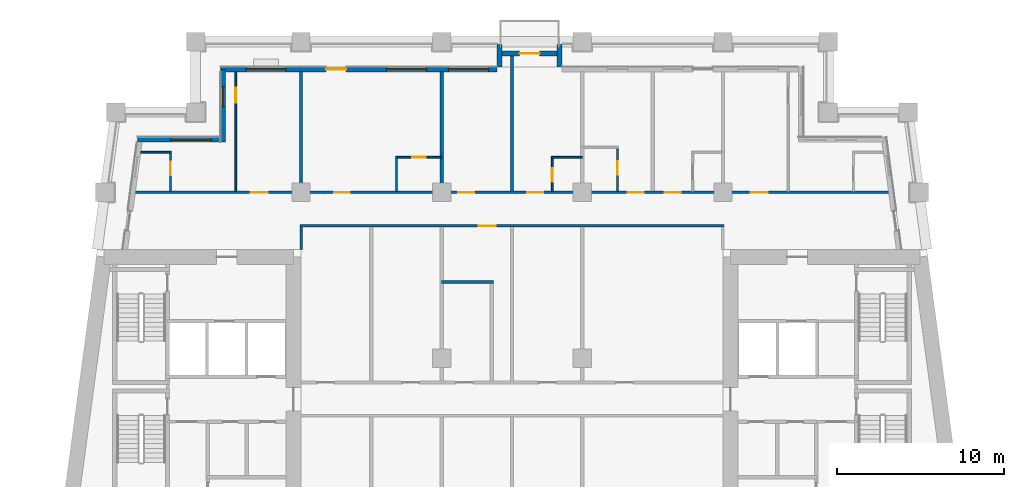
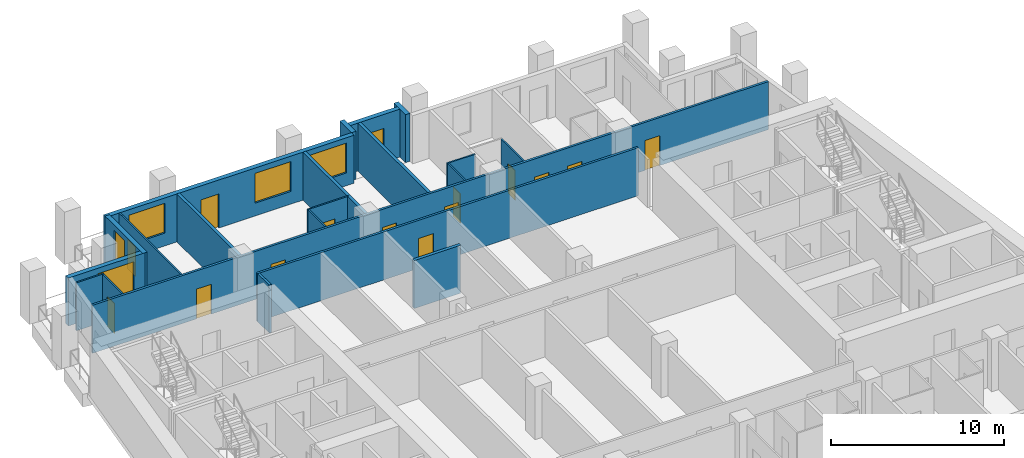
# One storey, part 7 of 14: 21 walls, 15 doors, 5 windows, 20 openings.
"""IFC4 building model written with IfcOpenShell, lengths in metres."""

import ifcopenshell
import ifcopenshell.guid

model = None  # the IFC model being written
_history = None  # IfcOwnerHistory: only IFC2X3 demands one
_inside = {}  # id of a spatial element -> (the spatial element, [elements in it])
_under = {}  # id of a project, library or spatial element -> (it, [spatial elements below it])
_declared = {}  # id of a project -> (the project, [libraries it declares])
_typed = {}  # id of a type object -> (the type object, [elements of that type])
_made_of = {}  # id of a material, layer set ... -> (it, [elements and type objects made of it])


def new_model(schema):
    """Start an empty IFC model of exactly this schema.

    Asked for "IFC4X3", IfcOpenShell would pick the latest addendum, in which some entities
    have other attributes; the version numbers below select the first issue.
    IFC2X3 requires an IfcOwnerHistory on every rooted entity: one is made here for all.
    """
    global model, _history
    if schema == "IFC4X3":
        model = ifcopenshell.file(schema_version=(4, 3, 0, 0))
    else:
        model = ifcopenshell.file(schema=schema)
    _inside.clear()
    _under.clear()
    _declared.clear()
    _typed.clear()
    _made_of.clear()
    _history = None
    if model.schema == "IFC2X3":
        org = make("IfcOrganization", Name="unknown")
        user = make(
            "IfcPersonAndOrganization",
            ThePerson=make("IfcPerson", FamilyName="unknown"),
            TheOrganization=org,
        )
        app = make(
            "IfcApplication",
            ApplicationDeveloper=org,
            Version="unknown",
            ApplicationFullName="unknown",
            ApplicationIdentifier="unknown",
        )
        _history = make(
            "IfcOwnerHistory",
            OwningUser=user,
            OwningApplication=app,
            ChangeAction="ADDED",
            CreationDate=0,
        )
    return model


def make(cls, **values):
    """One entity of the class cls with the attributes given. An attribute that is None is left unset."""
    return model.create_entity(
        cls, **{name: value for name, value in values.items() if value is not None}
    )


def rooted(cls, **values):
    """An entity with a GlobalId (a new one), such as an element, a storey or a relation."""
    return make(cls, GlobalId=ifcopenshell.guid.new(), OwnerHistory=_history, **values)


def si_unit(unit_type, name, prefix=None):
    """IfcSIUnit, for example si_unit("LENGTHUNIT", "METRE", prefix="MILLI")."""
    return make("IfcSIUnit", UnitType=unit_type, Prefix=prefix, Name=name)


def assignment(units):
    """IfcUnitAssignment: the units of a project."""
    return None if units is None else make("IfcUnitAssignment", Units=units)


def point(xyz):
    """IfcCartesianPoint."""
    return None if xyz is None else make("IfcCartesianPoint", Coordinates=xyz)


def direction(xyz):
    """IfcDirection."""
    return None if xyz is None else make("IfcDirection", DirectionRatios=xyz)


def frame(location, z_axis=None, x_axis=None):
    """IfcAxis2Placement3D, a coordinate frame: its origin and axes. An axis left out is left unset."""
    return make(
        "IfcAxis2Placement3D",
        Location=point(location),
        Axis=direction(z_axis),
        RefDirection=direction(x_axis),
    )


def frame_2d(location, x_axis=None):
    """IfcAxis2Placement2D, a coordinate frame in the plane: its origin and x axis."""
    return make(
        "IfcAxis2Placement2D", Location=point(location), RefDirection=direction(x_axis)
    )


def origin():
    """The frame at (0, 0, 0) with its axes left unset."""
    return frame((0.0, 0.0, 0.0))


def place(relative_to, where):
    """IfcLocalPlacement: puts the frame where relative to a parent placement (None: the world)."""
    return make(
        "IfcLocalPlacement", PlacementRelTo=relative_to, RelativePlacement=where
    )


def context(
    kind, dimensions, precision=None, world=None, true_north=None, identifier=None
):
    """IfcGeometricRepresentationContext, for example the 3D "Model" context."""
    return make(
        "IfcGeometricRepresentationContext",
        ContextIdentifier=identifier,
        ContextType=kind,
        CoordinateSpaceDimension=dimensions,
        Precision=precision,
        WorldCoordinateSystem=world,
        TrueNorth=true_north,
    )


def subcontext(parent, identifier, kind, view, scale=None):
    """IfcGeometricRepresentationSubContext, for example "Body" below "Model"."""
    return make(
        "IfcGeometricRepresentationSubContext",
        ContextIdentifier=identifier,
        ContextType=kind,
        ParentContext=parent,
        TargetScale=scale,
        TargetView=view,
    )


def project(units=None, contexts=None):
    """IfcProject with its units and contexts."""
    return rooted(
        "IfcProject",
        Name="project",
        RepresentationContexts=contexts,
        UnitsInContext=assignment(units),
    )


def spatial(cls, under=None, at=None, **own):
    """A site, building, storey or space (cls), placed at a placement, below another one or the project."""
    s = rooted(cls, ObjectPlacement=at, **own)
    if under is not None:
        _under.setdefault(under.id(), (under, []))[1].append(s)
    return s


def profile(cls, at=None, kind="AREA", **sizes):
    """A parametric profile (cls). Its sizes go by their IFC names, for example OverallWidth=200.0."""
    return make(cls, ProfileType=kind, Position=at, **sizes)


def rectangle(**sizes):
    """IfcRectangleProfileDef."""
    return profile("IfcRectangleProfileDef", **sizes)


def extrude(swept, where, along, depth):
    """IfcExtrudedAreaSolid: the profile swept, set in the frame where, extruded along a direction by depth."""
    return make(
        "IfcExtrudedAreaSolid",
        SweptArea=swept,
        Position=where,
        ExtrudedDirection=direction(along),
        Depth=depth,
    )


def shape(context_of_items, identifier, shape_type, items):
    """IfcShapeRepresentation: the items that make up one representation, for example the "Body"."""
    return make(
        "IfcShapeRepresentation",
        ContextOfItems=context_of_items,
        RepresentationIdentifier=identifier,
        RepresentationType=shape_type,
        Items=items,
    )


def material(Name=None, Category=None):
    """IfcMaterial."""
    return make("IfcMaterial", Name=Name, Category=Category)


def layer(
    of_material, thickness, ventilated=None, Name=None, Category=None, Priority=None
):
    """IfcMaterialLayer: one layer of a wall or slab, of a material (None: an air gap)."""
    return make(
        "IfcMaterialLayer",
        Material=of_material,
        LayerThickness=thickness,
        IsVentilated=ventilated,
        Name=Name,
        Category=Category,
        Priority=Priority,
    )


def layer_set(layers, Name=None):
    """IfcMaterialLayerSet."""
    return make("IfcMaterialLayerSet", MaterialLayers=layers, LayerSetName=Name)


def made_of(thing, what):
    """Note that an element or type object is made of a material, layer set ...; save() writes the relation."""
    if what is not None:
        _made_of.setdefault(what.id(), (what, []))[1].append(thing)
    return thing


def type_object(cls, material=None, **own):
    """A type object (cls), such as IfcWallType, which elements share."""
    return made_of(rooted(cls, **own), material)


def element(
    cls,
    number,
    at=None,
    inside=None,
    cuts=None,
    type_object=None,
    material=None,
    context=None,
    identifier="Body",
    shape_type=None,
    held_by="IfcProductDefinitionShape",
    body=None,
    shapes=None,
    **own,
):
    """One element of the class cls, such as IfcWall. Its Tag is "e" and its number.

    at: its placement. inside: the storey or other place that contains it. cuts: it is an
    opening in that element (IfcRelVoidsElement). A single representation is given by context,
    identifier, shape_type and body (its items); several are given by shapes. held_by: the class
    of the entity that holds the representations. save() writes the other relations.
    """
    e = rooted(cls, Tag="e%d" % number, ObjectPlacement=at, **own)
    if body is not None:
        shapes = [shape(context, identifier, shape_type, body)]
    if shapes is not None:
        e.Representation = make(held_by, Representations=shapes)
    if inside is not None:
        _inside.setdefault(inside.id(), (inside, []))[1].append(e)
    if cuts is not None:
        rooted(
            "IfcRelVoidsElement", RelatingBuildingElement=cuts, RelatedOpeningElement=e
        )
    if type_object is not None:
        _typed.setdefault(type_object.id(), (type_object, []))[1].append(e)
    return made_of(e, material)


def fill(opening, filler):
    """IfcRelFillsElement: the door or window that sits in an opening."""
    return rooted(
        "IfcRelFillsElement",
        RelatingOpeningElement=opening,
        RelatedBuildingElement=filler,
    )


def aggregate(whole, parts):
    """IfcRelAggregates: a whole, such as a stair, and the parts it consists of."""
    return rooted("IfcRelAggregates", RelatingObject=whole, RelatedObjects=parts)


def save(model, path):
    """Write the relations noted so far, then the file.

    IfcRelAggregates (storeys below a building ...), IfcRelContainedInSpatialStructure (elements
    in a storey), IfcRelDefinesByType, IfcRelAssociatesMaterial and IfcRelDeclares: one each for
    every whole, place, type object, material and project.
    """
    for whole, parts in _under.values():
        aggregate(whole, parts)
    for where, things in _inside.values():
        rooted(
            "IfcRelContainedInSpatialStructure",
            RelatedElements=things,
            RelatingStructure=where,
        )
    for kind, things in _typed.values():
        rooted("IfcRelDefinesByType", RelatedObjects=things, RelatingType=kind)
    for what, things in _made_of.values():
        rooted("IfcRelAssociatesMaterial", RelatedObjects=things, RelatingMaterial=what)
    for by, libraries in _declared.values():
        rooted("IfcRelDeclares", RelatingContext=by, RelatedDefinitions=libraries)
    model.write(path)


model = new_model("IFC4")

# Units and contexts
model_context = context("Model", 3, precision=1e-05, world=origin(), true_north=direction((0.0, 1.0)))
body_context = subcontext(model_context, "Body", "Model", "MODEL_VIEW")
ifc_project = project(units=[si_unit("LENGTHUNIT", "METRE"), si_unit("AREAUNIT", "SQUARE_METRE"), si_unit("VOLUMEUNIT", "CUBIC_METRE"), si_unit("PLANEANGLEUNIT", "RADIAN"), si_unit("MASSUNIT", "GRAM", prefix="KILO")], contexts=[model_context])

# Site, building, storey
site_placement = place(None, origin())
site = spatial("IfcSite", under=ifc_project, at=site_placement, CompositionType="ELEMENT")
building_placement = place(site_placement, origin())
building = spatial("IfcBuilding", under=site, at=building_placement, Name="Candeia Pilgrim Tower and Theatre", CompositionType="ELEMENT")
storey_placement = place(building_placement, frame((0.0, 0.0, 173.699951171875)))
storey = spatial("IfcBuildingStorey", under=building, at=storey_placement, Name="L41", CompositionType="ELEMENT", Elevation=173.699951171875)

# Wall, openings, door, windows
ifc_material_1 = material(Name="Ceramic block masonry", Category="masonry")
ifc_layer_1 = layer(ifc_material_1, 0.300048828125)
ifc_layer_set_1 = layer_set([ifc_layer_1], Name="EW1 glazing-line wall 300")
wall_type_1 = type_object("IfcWallType", Name="EW1 glazing-line wall 300", PredefinedType="SOLIDWALL", material=ifc_layer_set_1)
wall_1_placement = place(storey_placement, frame((112.5, 143.14990234375, 0.0), z_axis=(0.0, 0.0, 1.0), x_axis=(-1.0, 0.0, 0.0)))
wall_1 = element("IfcWall", 1, at=wall_1_placement, inside=storey, type_object=wall_type_1, Name="External wall L41-6.1", PredefinedType="SOLIDWALL", context=body_context, shape_type="SweptSolid", body=[
    extrude(rectangle(XDim=16.5, YDim=0.300048828125, at=frame_2d((8.25, 0.0))), origin(), (0.0, 0.0, 1.0), 3.380126953125),
])
opening_1_placement = place(wall_1_placement, frame((0.5, 0.0, 0.89990234375)))
opening_1 = element("IfcOpeningElement", 2, at=opening_1_placement, cuts=wall_1, Name="Opening W-A", PredefinedType="OPENING", context=body_context, shape_type="SweptSolid", body=[
    extrude(rectangle(XDim=2.39990234375, YDim=2.10009765625, at=frame_2d((1.199951171875, 1.050048828125))), frame((0.0, 0.16015625, 0.0), z_axis=(0.0, -1.0, 0.0), x_axis=(1.0, 0.0, 0.0)), (0.0, 0.0, 1.0), 0.320068359375),
])
opening_2_placement = place(wall_1_placement, frame((4.199951171875, 0.0, 0.89990234375)))
opening_2 = element("IfcOpeningElement", 3, at=opening_2_placement, cuts=wall_1, Name="Opening W-A", PredefinedType="OPENING", context=body_context, shape_type="SweptSolid", body=[
    extrude(rectangle(XDim=2.39990234375, YDim=2.10009765625, at=frame_2d((1.199951171875, 1.050048828125))), frame((0.0, 0.16015625, 0.0), z_axis=(0.0, -1.0, 0.0), x_axis=(1.0, 0.0, 0.0)), (0.0, 0.0, 1.0), 0.320068359375),
])
opening_3_placement = place(wall_1_placement, frame((9.0, 0.0, 0.0)))
opening_3 = element("IfcOpeningElement", 4, at=opening_3_placement, cuts=wall_1, Name="Opening L41-ED397", PredefinedType="OPENING", context=body_context, shape_type="SweptSolid", body=[
    extrude(rectangle(XDim=1.199951171875, YDim=2.39990234375, at=frame_2d((0.60009765625, 1.199951171875))), frame((0.0, 0.16015625, 0.0), z_axis=(0.0, -1.0, 0.0), x_axis=(1.0, 0.0, 0.0)), (0.0, 0.0, 1.0), 0.320068359375),
])
opening_4_placement = place(wall_1_placement, frame((12.60009765625, 0.0, 0.89990234375)))
opening_4 = element("IfcOpeningElement", 5, at=opening_4_placement, cuts=wall_1, Name="Opening W-A", PredefinedType="OPENING", context=body_context, shape_type="SweptSolid", body=[
    extrude(rectangle(XDim=2.39990234375, YDim=2.10009765625, at=frame_2d((1.199951171875, 1.050048828125))), frame((0.0, 0.16015625, 0.0), z_axis=(0.0, -1.0, 0.0), x_axis=(1.0, 0.0, 0.0)), (0.0, 0.0, 1.0), 0.320068359375),
])
ifc_material_2 = material(Name="Aluminium framed glazed door", Category="aluminium")
door_type_1 = type_object("IfcDoorType", Name="Loggia door 1200x2400", OperationType="DOUBLE_DOOR_SINGLE_SWING", PredefinedType="DOOR", material=ifc_material_2)
door_1_placement = place(opening_3_placement, origin())
door_1 = element("IfcDoor", 6, at=door_1_placement, inside=storey, type_object=door_type_1, Name="Loggia door L41-ED397", OperationType="DOUBLE_DOOR_SINGLE_SWING", OverallHeight=2.39990234375, OverallWidth=1.199951171875, PredefinedType="DOOR", context=body_context, shape_type="SweptSolid", body=[
    extrude(rectangle(XDim=1.199951171875, YDim=2.39990234375, at=frame_2d((0.60009765625, 1.199951171875))), frame((0.0, 0.02490234375, 0.0), z_axis=(0.0, -1.0, 0.0), x_axis=(1.0, 0.0, 0.0)), (0.0, 0.0, 1.0), 0.050048828125),
])
fill(opening_3, door_1)
ifc_material_3 = material(Name="Aluminium framed double glazing", Category="aluminium")
window_type_1 = type_object("IfcWindowType", Name="W-A window 2400x2100", PartitioningType="DOUBLE_PANEL_VERTICAL", PredefinedType="WINDOW", material=ifc_material_3)
window_1_placement = place(opening_1_placement, origin())
window_1 = element("IfcWindow", 7, at=window_1_placement, inside=storey, type_object=window_type_1, Name="Window W-A L41", OverallHeight=2.10009765625, OverallWidth=2.39990234375, PartitioningType="SINGLE_PANEL", PredefinedType="WINDOW", context=body_context, shape_type="SweptSolid", body=[
    extrude(rectangle(XDim=2.39990234375, YDim=2.10009765625, at=frame_2d((1.199951171875, 1.050048828125))), frame((0.0, 0.030029296875, 0.0), z_axis=(0.0, -1.0, 0.0), x_axis=(1.0, 0.0, 0.0)), (0.0, 0.0, 1.0), 0.06005859375),
])
fill(opening_1, window_1)
window_2_placement = place(opening_2_placement, origin())
window_2 = element("IfcWindow", 8, at=window_2_placement, inside=storey, type_object=window_type_1, Name="Window W-A L41", OverallHeight=2.10009765625, OverallWidth=2.39990234375, PartitioningType="SINGLE_PANEL", PredefinedType="WINDOW", context=body_context, shape_type="SweptSolid", body=[
    extrude(rectangle(XDim=2.39990234375, YDim=2.10009765625, at=frame_2d((1.199951171875, 1.050048828125))), frame((0.0, 0.030029296875, 0.0), z_axis=(0.0, -1.0, 0.0), x_axis=(1.0, 0.0, 0.0)), (0.0, 0.0, 1.0), 0.06005859375),
])
fill(opening_2, window_2)
window_3_placement = place(opening_4_placement, origin())
window_3 = element("IfcWindow", 9, at=window_3_placement, inside=storey, type_object=window_type_1, Name="Window W-A L41", OverallHeight=2.10009765625, OverallWidth=2.39990234375, PartitioningType="SINGLE_PANEL", PredefinedType="WINDOW", context=body_context, shape_type="SweptSolid", body=[
    extrude(rectangle(XDim=2.39990234375, YDim=2.10009765625, at=frame_2d((1.199951171875, 1.050048828125))), frame((0.0, 0.030029296875, 0.0), z_axis=(0.0, -1.0, 0.0), x_axis=(1.0, 0.0, 0.0)), (0.0, 0.0, 1.0), 0.06005859375),
])
fill(opening_4, window_3)

# Wall, opening, window
wall_2_placement = place(storey_placement, frame((96.14990234375, 143.14990234375, 0.0), z_axis=(0.0, 0.0, 1.0), x_axis=(0.0, -1.0, 0.0)))
wall_2 = element("IfcWall", 10, at=wall_2_placement, inside=storey, type_object=wall_type_1, Name="External wall L41-7.0", PredefinedType="SOLIDWALL", context=body_context, shape_type="SweptSolid", body=[
    extrude(rectangle(XDim=4.349853515625, YDim=0.300048828125, at=frame_2d((2.1748046875, 0.0))), origin(), (0.0, 0.0, 1.0), 3.380126953125),
])
opening_5_placement = place(wall_2_placement, frame((1.02490234375, 0.0, 0.89990234375)))
opening_5 = element("IfcOpeningElement", 11, at=opening_5_placement, cuts=wall_2, Name="Opening W-B", PredefinedType="OPENING", context=body_context, shape_type="SweptSolid", body=[
    extrude(rectangle(XDim=1.199951171875, YDim=2.10009765625, at=frame_2d((0.60009765625, 1.050048828125))), frame((0.0, 0.16015625, 0.0), z_axis=(0.0, -1.0, 0.0), x_axis=(1.0, 0.0, 0.0)), (0.0, 0.0, 1.0), 0.320068359375),
])
window_type_2 = type_object("IfcWindowType", Name="W-B window 1200x2100", PartitioningType="SINGLE_PANEL", PredefinedType="WINDOW", material=ifc_material_3)
window_4_placement = place(opening_5_placement, origin())
window_4 = element("IfcWindow", 12, at=window_4_placement, inside=storey, type_object=window_type_2, Name="Window W-B L41", OverallHeight=2.10009765625, OverallWidth=1.199951171875, PartitioningType="SINGLE_PANEL", PredefinedType="WINDOW", context=body_context, shape_type="SweptSolid", body=[
    extrude(rectangle(XDim=1.199951171875, YDim=2.10009765625, at=frame_2d((0.60009765625, 1.050048828125))), frame((0.0, 0.030029296875, 0.0), z_axis=(0.0, -1.0, 0.0), x_axis=(1.0, 0.0, 0.0)), (0.0, 0.0, 1.0), 0.06005859375),
])
fill(opening_5, window_4)

wall_3_placement = place(storey_placement, frame((96.14990234375, 138.949951171875, 0.0), z_axis=(0.0, 0.0, 1.0), x_axis=(-1.0, 0.0, 0.0)))
wall_3 = element("IfcWall", 13, at=wall_3_placement, inside=storey, type_object=wall_type_1, Name="External wall L41-8.0", PredefinedType="SOLIDWALL", context=body_context, shape_type="SweptSolid", body=[
    extrude(rectangle(XDim=5.103759765625, YDim=0.300048828125, at=frame_2d((2.5517578125, 0.0))), origin(), (0.0, 0.0, 1.0), 3.380126953125),
])
opening_6_placement = place(wall_3_placement, frame((0.72509765625, 0.0, 0.89990234375)))
opening_6 = element("IfcOpeningElement", 14, at=opening_6_placement, cuts=wall_3, Name="Opening W-A", PredefinedType="OPENING", context=body_context, shape_type="SweptSolid", body=[
    extrude(rectangle(XDim=2.39990234375, YDim=2.10009765625, at=frame_2d((1.199951171875, 1.050048828125))), frame((0.0, 0.16015625, 0.0), z_axis=(0.0, -1.0, 0.0), x_axis=(1.0, 0.0, 0.0)), (0.0, 0.0, 1.0), 0.320068359375),
])
window_5_placement = place(opening_6_placement, origin())
window_5 = element("IfcWindow", 15, at=window_5_placement, inside=storey, type_object=window_type_1, Name="Window W-A L41", OverallHeight=2.10009765625, OverallWidth=2.39990234375, PartitioningType="SINGLE_PANEL", PredefinedType="WINDOW", context=body_context, shape_type="SweptSolid", body=[
    extrude(rectangle(XDim=2.39990234375, YDim=2.10009765625, at=frame_2d((1.199951171875, 1.050048828125))), frame((0.0, 0.030029296875, 0.0), z_axis=(0.0, -1.0, 0.0), x_axis=(1.0, 0.0, 0.0)), (0.0, 0.0, 1.0), 0.06005859375),
])
fill(opening_6, window_5)

# Walls
ifc_layer_2 = layer(ifc_material_1, 0.300048828125)
ifc_layer_set_2 = layer_set([ifc_layer_2], Name="EW2 entrance infill wall 300")
wall_type_2 = type_object("IfcWallType", Name="EW2 entrance infill wall 300", PredefinedType="SOLIDWALL", material=ifc_layer_set_2)
for number, where, z_axis, x_axis, name in (
    (16, (116.25, 143.300048828125, 0.0), (0.0, 0.0, 1.0), (0.0, 1.0, 0.0), "Alcove wall L41"),
    (17, (112.64990234375, 143.300048828125, 0.0), (0.0, 0.0, 1.0), (0.0, 1.0, 0.0), "Alcove wall L41"),
):
    element("IfcWall", number, at=place(storey_placement, frame(where, z_axis=z_axis, x_axis=x_axis)), inside=storey, type_object=wall_type_2, Name=name, PredefinedType="SOLIDWALL", context=body_context, shape_type="SweptSolid", body=[
        extrude(rectangle(XDim=1.349853515625, YDim=0.300048828125, at=frame_2d((0.6748046875, 0.0))), origin(), (0.0, 0.0, 1.0), 3.380126953125),
    ])

# Wall, opening, door
wall_4_placement = place(storey_placement, frame((116.39990234375, 144.10009765625, 0.0), z_axis=(0.0, 0.0, 1.0), x_axis=(-1.0, 0.0, 0.0)))
wall_4 = element("IfcWall", 18, at=wall_4_placement, inside=storey, type_object=wall_type_2, Name="Alcove wall L41", PredefinedType="SOLIDWALL", context=body_context, shape_type="SweptSolid", body=[
    extrude(rectangle(XDim=3.89990234375, YDim=0.300048828125, at=frame_2d((1.949951171875, 0.0))), origin(), (0.0, 0.0, 1.0), 3.380126953125),
])
opening_7_placement = place(wall_4_placement, frame((1.35009765625, 0.0, 0.0)))
opening_7 = element("IfcOpeningElement", 19, at=opening_7_placement, cuts=wall_4, Name="Opening L41-ED398", PredefinedType="OPENING", context=body_context, shape_type="SweptSolid", body=[
    extrude(rectangle(XDim=1.199951171875, YDim=2.39990234375, at=frame_2d((0.60009765625, 1.199951171875))), frame((0.0, 0.16015625, 0.0), z_axis=(0.0, -1.0, 0.0), x_axis=(1.0, 0.0, 0.0)), (0.0, 0.0, 1.0), 0.320068359375),
])
door_2_placement = place(opening_7_placement, origin())
door_2 = element("IfcDoor", 20, at=door_2_placement, inside=storey, type_object=door_type_1, Name="Balcony door L41-ED398", OperationType="DOUBLE_DOOR_SINGLE_SWING", OverallHeight=2.39990234375, OverallWidth=1.199951171875, PredefinedType="DOOR", context=body_context, shape_type="SweptSolid", body=[
    extrude(rectangle(XDim=1.199951171875, YDim=2.39990234375, at=frame_2d((0.60009765625, 1.199951171875))), frame((0.0, 0.02490234375, 0.0), z_axis=(0.0, -1.0, 0.0), x_axis=(1.0, 0.0, 0.0)), (0.0, 0.0, 1.0), 0.050048828125),
])
fill(opening_7, door_2)

ifc_material_4 = material(Name="Gypsum board partition on steel studs", Category="steel")
ifc_layer_3 = layer(ifc_material_4, 0.10009765625)
ifc_layer_set_3 = layer_set([ifc_layer_3], Name="PW-100 room partition")
wall_type_3 = type_object("IfcWallType", Name="PW-100 room partition", PredefinedType="PARTITIONING", material=ifc_layer_set_3)
wall_5_placement = place(storey_placement, frame((106.449951171875, 137.89990234375, 0.0), z_axis=(0.0, 0.0, 1.0), x_axis=(1.0, 0.0, 0.0)))
wall_5 = element("IfcWall", 21, at=wall_5_placement, inside=storey, type_object=wall_type_3, Name="Room partition L41-046", PredefinedType="PARTITIONING", context=body_context, shape_type="SweptSolid", body=[
    extrude(rectangle(XDim=2.75, YDim=0.10009765625, at=frame_2d((1.375, 0.0))), origin(), (0.0, 0.0, 1.0), 3.380126953125),
])
opening_8_placement = place(wall_5_placement, frame((1.0, 0.0, 0.0)))
opening_8 = element("IfcOpeningElement", 22, at=opening_8_placement, cuts=wall_5, Name="Opening L41-D042", PredefinedType="OPENING", context=body_context, shape_type="SweptSolid", body=[
    extrude(rectangle(XDim=0.800048828125, YDim=2.10009765625, at=frame_2d((0.39990234375, 1.050048828125))), frame((0.0, 0.06005859375, 0.0), z_axis=(0.0, -1.0, 0.0), x_axis=(1.0, 0.0, 0.0)), (0.0, 0.0, 1.0), 0.1201171875),
])
ifc_material_5 = material(Name="Timber door leaf", Category="wood")
door_type_2 = type_object("IfcDoorType", Name="D-800", OperationType="NOTDEFINED", PredefinedType="DOOR", material=ifc_material_5)
door_3_placement = place(opening_8_placement, origin())
door_3 = element("IfcDoor", 23, at=door_3_placement, inside=storey, type_object=door_type_2, Name="Door L41-D042", OperationType="SINGLE_SWING_LEFT", OverallHeight=2.10009765625, OverallWidth=0.800048828125, PredefinedType="DOOR", context=body_context, shape_type="SweptSolid", body=[
    extrude(rectangle(XDim=0.800048828125, YDim=2.10009765625, at=frame_2d((0.39990234375, 1.050048828125))), frame((0.0, 0.02490234375, 0.0), z_axis=(0.0, -1.0, 0.0), x_axis=(1.0, 0.0, 0.0)), (0.0, 0.0, 1.0), 0.050048828125),
])
fill(opening_8, door_3)

# Walls
wall_6_placement = place(storey_placement, frame((115.75, 137.89990234375, 0.0), z_axis=(0.0, 0.0, 1.0), x_axis=(1.0, 0.0, 0.0)))
element("IfcWall", 24, at=wall_6_placement, inside=storey, type_object=wall_type_3, Name="Room partition L41-047", PredefinedType="PARTITIONING", context=body_context, shape_type="SweptSolid", body=[
    extrude(rectangle(XDim=1.85009765625, YDim=0.10009765625, at=frame_2d((0.925048828125, 0.0))), origin(), (0.0, 0.0, 1.0), 3.380126953125),
])
wall_7_placement = place(storey_placement, frame((91.2177734375, 138.199951171875, 0.0), z_axis=(0.0, 0.0, 1.0), x_axis=(1.0, 0.0, 0.0)))
element("IfcWall", 25, at=wall_7_placement, inside=storey, type_object=wall_type_3, Name="Room partition L41-048", PredefinedType="PARTITIONING", context=body_context, shape_type="SweptSolid", body=[
    extrude(rectangle(XDim=1.832275390625, YDim=0.10009765625, at=frame_2d((0.916015625, 0.0))), origin(), (0.0, 0.0, 1.0), 3.380126953125),
])

# Wall, opening, door
wall_8_placement = place(storey_placement, frame((93.0, 135.875, 0.0), z_axis=(0.0, 0.0, 1.0), x_axis=(0.0, 1.0, 0.0)))
wall_8 = element("IfcWall", 26, at=wall_8_placement, inside=storey, type_object=wall_type_3, Name="Room partition L41-064", PredefinedType="PARTITIONING", context=body_context, shape_type="SweptSolid", body=[
    extrude(rectangle(XDim=2.27490234375, YDim=0.10009765625, at=frame_2d((1.137451171875, 0.0))), origin(), (0.0, 0.0, 1.0), 3.380126953125),
])
opening_9_placement = place(wall_8_placement, frame((0.949951171875, 0.0, 0.0)))
opening_9 = element("IfcOpeningElement", 27, at=opening_9_placement, cuts=wall_8, Name="Opening L41-D040", PredefinedType="OPENING", context=body_context, shape_type="SweptSolid", body=[
    extrude(rectangle(XDim=0.800048828125, YDim=2.10009765625, at=frame_2d((0.39990234375, 1.050048828125))), frame((0.0, 0.06005859375, 0.0), z_axis=(0.0, -1.0, 0.0), x_axis=(1.0, 0.0, 0.0)), (0.0, 0.0, 1.0), 0.1201171875),
])
door_4_placement = place(opening_9_placement, origin())
door_4 = element("IfcDoor", 28, at=door_4_placement, inside=storey, type_object=door_type_2, Name="Door L41-D040", OperationType="SINGLE_SWING_LEFT", OverallHeight=2.10009765625, OverallWidth=0.800048828125, PredefinedType="DOOR", context=body_context, shape_type="SweptSolid", body=[
    extrude(rectangle(XDim=0.800048828125, YDim=2.10009765625, at=frame_2d((0.39990234375, 1.050048828125))), frame((0.0, 0.02490234375, 0.0), z_axis=(0.0, -1.0, 0.0), x_axis=(1.0, 0.0, 0.0)), (0.0, 0.0, 1.0), 0.050048828125),
])
fill(opening_9, door_4)

wall_9_placement = place(storey_placement, frame((96.89990234375, 135.875, 0.0), z_axis=(0.0, 0.0, 1.0), x_axis=(0.0, 1.0, 0.0)))
wall_9 = element("IfcWall", 29, at=wall_9_placement, inside=storey, type_object=wall_type_3, Name="Room partition L41-071", PredefinedType="PARTITIONING", context=body_context, shape_type="SweptSolid", body=[
    extrude(rectangle(XDim=7.135009765625, YDim=0.10009765625, at=frame_2d((3.5673828125, 0.0))), origin(), (0.0, 0.0, 1.0), 3.380126953125),
])
opening_10_placement = place(wall_9_placement, frame((5.2900390625, 0.0, 0.0)))
opening_10 = element("IfcOpeningElement", 30, at=opening_10_placement, cuts=wall_9, Name="Opening L41-D039", PredefinedType="OPENING", context=body_context, shape_type="SweptSolid", body=[
    extrude(rectangle(XDim=0.89990234375, YDim=2.10009765625, at=frame_2d((0.449951171875, 1.050048828125))), frame((0.0, 0.06005859375, 0.0), z_axis=(0.0, -1.0, 0.0), x_axis=(1.0, 0.0, 0.0)), (0.0, 0.0, 1.0), 0.1201171875),
])
door_type_3 = type_object("IfcDoorType", Name="D-900", OperationType="NOTDEFINED", PredefinedType="DOOR", material=ifc_material_5)
door_5_placement = place(opening_10_placement, origin())
door_5 = element("IfcDoor", 31, at=door_5_placement, inside=storey, type_object=door_type_3, Name="Door L41-D039", OperationType="SINGLE_SWING_RIGHT", OverallHeight=2.10009765625, OverallWidth=0.89990234375, PredefinedType="DOOR", context=body_context, shape_type="SweptSolid", body=[
    extrude(rectangle(XDim=0.89990234375, YDim=2.10009765625, at=frame_2d((0.449951171875, 1.050048828125))), frame((0.0, 0.02490234375, 0.0), z_axis=(0.0, -1.0, 0.0), x_axis=(1.0, 0.0, 0.0)), (0.0, 0.0, 1.0), 0.050048828125),
])
fill(opening_10, door_5)

# Wall
wall_10_placement = place(storey_placement, frame((106.5, 135.875, 0.0), z_axis=(0.0, 0.0, 1.0), x_axis=(0.0, 1.0, 0.0)))
element("IfcWall", 32, at=wall_10_placement, inside=storey, type_object=wall_type_3, Name="Room partition L41-085", PredefinedType="PARTITIONING", context=body_context, shape_type="SweptSolid", body=[
    extrude(rectangle(XDim=1.97509765625, YDim=0.10009765625, at=frame_2d((0.987548828125, 0.0))), origin(), (0.0, 0.0, 1.0), 3.380126953125),
])

# Wall, opening, door
wall_11_placement = place(storey_placement, frame((115.800048828125, 135.875, 0.0), z_axis=(0.0, 0.0, 1.0), x_axis=(0.0, 1.0, 0.0)))
wall_11 = element("IfcWall", 33, at=wall_11_placement, inside=storey, type_object=wall_type_3, Name="Room partition L41-094", PredefinedType="PARTITIONING", context=body_context, shape_type="SweptSolid", body=[
    extrude(rectangle(XDim=1.97509765625, YDim=0.10009765625, at=frame_2d((0.987548828125, 0.0))), origin(), (0.0, 0.0, 1.0), 3.380126953125),
])
opening_11_placement = place(wall_11_placement, frame((0.574951171875, 0.0, 0.0)))
opening_11 = element("IfcOpeningElement", 34, at=opening_11_placement, cuts=wall_11, Name="Opening L41-D045", PredefinedType="OPENING", context=body_context, shape_type="SweptSolid", body=[
    extrude(rectangle(XDim=0.800048828125, YDim=2.10009765625, at=frame_2d((0.39990234375, 1.050048828125))), frame((0.0, 0.06005859375, 0.0), z_axis=(0.0, -1.0, 0.0), x_axis=(1.0, 0.0, 0.0)), (0.0, 0.0, 1.0), 0.1201171875),
])
door_6_placement = place(opening_11_placement, origin())
door_6 = element("IfcDoor", 35, at=door_6_placement, inside=storey, type_object=door_type_2, Name="Door L41-D045", OperationType="SINGLE_SWING_RIGHT", OverallHeight=2.10009765625, OverallWidth=0.800048828125, PredefinedType="DOOR", context=body_context, shape_type="SweptSolid", body=[
    extrude(rectangle(XDim=0.800048828125, YDim=2.10009765625, at=frame_2d((0.39990234375, 1.050048828125))), frame((0.0, 0.02490234375, 0.0), z_axis=(0.0, -1.0, 0.0), x_axis=(1.0, 0.0, 0.0)), (0.0, 0.0, 1.0), 0.050048828125),
])
fill(opening_11, door_6)

wall_12_placement = place(storey_placement, frame((119.699951171875, 135.875, 0.0), z_axis=(0.0, 0.0, 1.0), x_axis=(0.0, 1.0, 0.0)))
wall_12 = element("IfcWall", 36, at=wall_12_placement, inside=storey, type_object=wall_type_3, Name="Room partition L41-100", PredefinedType="PARTITIONING", context=body_context, shape_type="SweptSolid", body=[
    extrude(rectangle(XDim=2.574951171875, YDim=0.10009765625, at=frame_2d((1.28759765625, 0.0))), origin(), (0.0, 0.0, 1.0), 3.380126953125),
])
opening_12_placement = place(wall_12_placement, frame((0.9951171875, 0.0, 0.0)))
opening_12 = element("IfcOpeningElement", 37, at=opening_12_placement, cuts=wall_12, Name="Opening L41-D047", PredefinedType="OPENING", context=body_context, shape_type="SweptSolid", body=[
    extrude(rectangle(XDim=0.800048828125, YDim=2.10009765625, at=frame_2d((0.39990234375, 1.050048828125))), frame((0.0, 0.06005859375, 0.0), z_axis=(0.0, -1.0, 0.0), x_axis=(1.0, 0.0, 0.0)), (0.0, 0.0, 1.0), 0.1201171875),
])
door_7_placement = place(opening_12_placement, origin())
door_7 = element("IfcDoor", 38, at=door_7_placement, inside=storey, type_object=door_type_2, Name="Door L41-D047", OperationType="SINGLE_SWING_RIGHT", OverallHeight=2.10009765625, OverallWidth=0.800048828125, PredefinedType="DOOR", context=body_context, shape_type="SweptSolid", body=[
    extrude(rectangle(XDim=0.800048828125, YDim=2.10009765625, at=frame_2d((0.39990234375, 1.050048828125))), frame((0.0, 0.02490234375, 0.0), z_axis=(0.0, -1.0, 0.0), x_axis=(1.0, 0.0, 0.0)), (0.0, 0.0, 1.0), 0.050048828125),
])
fill(opening_12, door_7)

ifc_layer_4 = layer(ifc_material_4, 0.14990234375)
ifc_layer_set_4 = layer_set([ifc_layer_4], Name="PW-150 unit wall")
wall_type_4 = type_object("IfcWallType", Name="PW-150 unit wall", PredefinedType="PARTITIONING", material=ifc_layer_set_4)
wall_13_placement = place(storey_placement, frame((100.72509765625, 133.800048828125, 0.0), z_axis=(0.0, 0.0, 1.0), x_axis=(1.0, 0.0, 0.0)))
wall_13 = element("IfcWall", 39, at=wall_13_placement, inside=storey, type_object=wall_type_4, Name="Unit wall L41-044", PredefinedType="PARTITIONING", context=body_context, shape_type="SweptSolid", body=[
    extrude(rectangle(XDim=25.349853515625, YDim=0.14990234375, at=frame_2d((12.6748046875, 0.0))), origin(), (0.0, 0.0, 1.0), 3.380126953125),
])
opening_13_placement = place(wall_13_placement, frame((10.699951171875, 0.0, 0.0)))
opening_13 = element("IfcOpeningElement", 40, at=opening_13_placement, cuts=wall_13, Name="Opening L41-D053", PredefinedType="OPENING", context=body_context, shape_type="SweptSolid", body=[
    extrude(rectangle(XDim=1.0, YDim=2.10009765625, at=frame_2d((0.5, 1.050048828125))), frame((0.0, 0.0849609375, 0.0), z_axis=(0.0, -1.0, 0.0), x_axis=(1.0, 0.0, 0.0)), (0.0, 0.0, 1.0), 0.169921875),
])
ifc_material_6 = material(Name="Steel fire door set", Category="steel")
door_type_4 = type_object("IfcDoorType", Name="D-1000-FD30S", OperationType="NOTDEFINED", PredefinedType="DOOR", material=ifc_material_6)
door_8_placement = place(opening_13_placement, origin())
door_8 = element("IfcDoor", 41, at=door_8_placement, inside=storey, type_object=door_type_4, Name="Door L41-D053", OperationType="SINGLE_SWING_RIGHT", OverallHeight=2.10009765625, OverallWidth=1.0, PredefinedType="DOOR", context=body_context, shape_type="SweptSolid", body=[
    extrude(rectangle(XDim=1.0, YDim=2.10009765625, at=frame_2d((0.5, 1.050048828125))), frame((0.0, 0.02490234375, 0.0), z_axis=(0.0, -1.0, 0.0), x_axis=(1.0, 0.0, 0.0)), (0.0, 0.0, 1.0), 0.050048828125),
])
fill(opening_13, door_8)

# Wall, openings, doors
wall_14_placement = place(storey_placement, frame((90.89453125, 135.800048828125, 0.0), z_axis=(0.0, 0.0, 1.0), x_axis=(1.0, 0.0, 0.0)))
wall_14 = element("IfcWall", 42, at=wall_14_placement, inside=storey, type_object=wall_type_4, Name="Unit wall L41-045", PredefinedType="PARTITIONING", context=body_context, shape_type="SweptSolid", body=[
    extrude(rectangle(XDim=45.010986328125, YDim=0.14990234375, at=frame_2d((22.50537109375, 0.0))), origin(), (0.0, 0.0, 1.0), 3.380126953125),
])
opening_14_placement = place(wall_14_placement, frame((6.905517578125, 0.0, 0.0)))
opening_14 = element("IfcOpeningElement", 43, at=opening_14_placement, cuts=wall_14, Name="Opening L41-D038", PredefinedType="OPENING", context=body_context, shape_type="SweptSolid", body=[
    extrude(rectangle(XDim=1.0, YDim=2.10009765625, at=frame_2d((0.5, 1.050048828125))), frame((0.0, 0.0849609375, 0.0), z_axis=(0.0, -1.0, 0.0), x_axis=(1.0, 0.0, 0.0)), (0.0, 0.0, 1.0), 0.169921875),
])
opening_15_placement = place(wall_14_placement, frame((11.87548828125, 0.0, 0.0)))
opening_15 = element("IfcOpeningElement", 44, at=opening_15_placement, cuts=wall_14, Name="Opening L41-D041", PredefinedType="OPENING", context=body_context, shape_type="SweptSolid", body=[
    extrude(rectangle(XDim=0.949951171875, YDim=2.10009765625, at=frame_2d((0.47509765625, 1.050048828125))), frame((0.0, 0.0849609375, 0.0), z_axis=(0.0, -1.0, 0.0), x_axis=(1.0, 0.0, 0.0)), (0.0, 0.0, 1.0), 0.169921875),
])
opening_16_placement = place(wall_14_placement, frame((19.29248046875, 0.0, 0.0)))
opening_16 = element("IfcOpeningElement", 45, at=opening_16_placement, cuts=wall_14, Name="Opening L41-D043", PredefinedType="OPENING", context=body_context, shape_type="SweptSolid", body=[
    extrude(rectangle(XDim=0.949951171875, YDim=2.10009765625, at=frame_2d((0.47509765625, 1.050048828125))), frame((0.0, 0.0849609375, 0.0), z_axis=(0.0, -1.0, 0.0), x_axis=(1.0, 0.0, 0.0)), (0.0, 0.0, 1.0), 0.169921875),
])
opening_17_placement = place(wall_14_placement, frame((23.41845703125, 0.0, 0.0)))
opening_17 = element("IfcOpeningElement", 46, at=opening_17_placement, cuts=wall_14, Name="Opening L41-D044", PredefinedType="OPENING", context=body_context, shape_type="SweptSolid", body=[
    extrude(rectangle(XDim=0.949951171875, YDim=2.10009765625, at=frame_2d((0.47509765625, 1.050048828125))), frame((0.0, 0.0849609375, 0.0), z_axis=(0.0, -1.0, 0.0), x_axis=(1.0, 0.0, 0.0)), (0.0, 0.0, 1.0), 0.169921875),
])
opening_18_placement = place(wall_14_placement, frame((29.42529296875, 0.0, 0.0)))
opening_18 = element("IfcOpeningElement", 47, at=opening_18_placement, cuts=wall_14, Name="Opening L41-D046", PredefinedType="OPENING", context=body_context, shape_type="SweptSolid", body=[
    extrude(rectangle(XDim=0.949951171875, YDim=2.10009765625, at=frame_2d((0.47509765625, 1.050048828125))), frame((0.0, 0.0849609375, 0.0), z_axis=(0.0, -1.0, 0.0), x_axis=(1.0, 0.0, 0.0)), (0.0, 0.0, 1.0), 0.169921875),
])
opening_19_placement = place(wall_14_placement, frame((31.63037109375, 0.0, 0.0)))
opening_19 = element("IfcOpeningElement", 48, at=opening_19_placement, cuts=wall_14, Name="Opening L41-D048", PredefinedType="OPENING", context=body_context, shape_type="SweptSolid", body=[
    extrude(rectangle(XDim=0.949951171875, YDim=2.10009765625, at=frame_2d((0.47509765625, 1.050048828125))), frame((0.0, 0.0849609375, 0.0), z_axis=(0.0, -1.0, 0.0), x_axis=(1.0, 0.0, 0.0)), (0.0, 0.0, 1.0), 0.169921875),
])
opening_20_placement = place(wall_14_placement, frame((36.775390625, 0.0, 0.0)))
opening_20 = element("IfcOpeningElement", 49, at=opening_20_placement, cuts=wall_14, Name="Opening L41-D050", PredefinedType="OPENING", context=body_context, shape_type="SweptSolid", body=[
    extrude(rectangle(XDim=1.0, YDim=2.10009765625, at=frame_2d((0.5, 1.050048828125))), frame((0.0, 0.0849609375, 0.0), z_axis=(0.0, -1.0, 0.0), x_axis=(1.0, 0.0, 0.0)), (0.0, 0.0, 1.0), 0.169921875),
])
door_9_placement = place(opening_14_placement, origin())
door_9 = element("IfcDoor", 50, at=door_9_placement, inside=storey, type_object=door_type_4, Name="Door L41-D038", OperationType="SINGLE_SWING_LEFT", OverallHeight=2.10009765625, OverallWidth=1.0, PredefinedType="DOOR", context=body_context, shape_type="SweptSolid", body=[
    extrude(rectangle(XDim=1.0, YDim=2.10009765625, at=frame_2d((0.5, 1.050048828125))), frame((0.0, 0.02490234375, 0.0), z_axis=(0.0, -1.0, 0.0), x_axis=(1.0, 0.0, 0.0)), (0.0, 0.0, 1.0), 0.050048828125),
])
fill(opening_14, door_9)
door_10_placement = place(opening_20_placement, origin())
door_10 = element("IfcDoor", 51, at=door_10_placement, inside=storey, type_object=door_type_4, Name="Door L41-D050", OperationType="SINGLE_SWING_LEFT", OverallHeight=2.10009765625, OverallWidth=1.0, PredefinedType="DOOR", context=body_context, shape_type="SweptSolid", body=[
    extrude(rectangle(XDim=1.0, YDim=2.10009765625, at=frame_2d((0.5, 1.050048828125))), frame((0.0, 0.02490234375, 0.0), z_axis=(0.0, -1.0, 0.0), x_axis=(1.0, 0.0, 0.0)), (0.0, 0.0, 1.0), 0.050048828125),
])
fill(opening_20, door_10)
door_type_5 = type_object("IfcDoorType", Name="D-950-FD30S", OperationType="NOTDEFINED", PredefinedType="DOOR", material=ifc_material_6)
door_11_placement = place(opening_15_placement, origin())
door_11 = element("IfcDoor", 52, at=door_11_placement, inside=storey, type_object=door_type_5, Name="Door L41-D041", OperationType="SINGLE_SWING_RIGHT", OverallHeight=2.10009765625, OverallWidth=0.949951171875, PredefinedType="DOOR", context=body_context, shape_type="SweptSolid", body=[
    extrude(rectangle(XDim=0.949951171875, YDim=2.10009765625, at=frame_2d((0.47509765625, 1.050048828125))), frame((0.0, 0.02490234375, 0.0), z_axis=(0.0, -1.0, 0.0), x_axis=(1.0, 0.0, 0.0)), (0.0, 0.0, 1.0), 0.050048828125),
])
fill(opening_15, door_11)
door_12_placement = place(opening_16_placement, origin())
door_12 = element("IfcDoor", 53, at=door_12_placement, inside=storey, type_object=door_type_5, Name="Door L41-D043", OperationType="SINGLE_SWING_RIGHT", OverallHeight=2.10009765625, OverallWidth=0.949951171875, PredefinedType="DOOR", context=body_context, shape_type="SweptSolid", body=[
    extrude(rectangle(XDim=0.949951171875, YDim=2.10009765625, at=frame_2d((0.47509765625, 1.050048828125))), frame((0.0, 0.02490234375, 0.0), z_axis=(0.0, -1.0, 0.0), x_axis=(1.0, 0.0, 0.0)), (0.0, 0.0, 1.0), 0.050048828125),
])
fill(opening_16, door_12)
door_13_placement = place(opening_17_placement, origin())
door_13 = element("IfcDoor", 54, at=door_13_placement, inside=storey, type_object=door_type_5, Name="Door L41-D044", OperationType="SINGLE_SWING_LEFT", OverallHeight=2.10009765625, OverallWidth=0.949951171875, PredefinedType="DOOR", context=body_context, shape_type="SweptSolid", body=[
    extrude(rectangle(XDim=0.949951171875, YDim=2.10009765625, at=frame_2d((0.47509765625, 1.050048828125))), frame((0.0, 0.02490234375, 0.0), z_axis=(0.0, -1.0, 0.0), x_axis=(1.0, 0.0, 0.0)), (0.0, 0.0, 1.0), 0.050048828125),
])
fill(opening_17, door_13)
door_14_placement = place(opening_18_placement, origin())
door_14 = element("IfcDoor", 55, at=door_14_placement, inside=storey, type_object=door_type_5, Name="Door L41-D046", OperationType="SINGLE_SWING_LEFT", OverallHeight=2.10009765625, OverallWidth=0.949951171875, PredefinedType="DOOR", context=body_context, shape_type="SweptSolid", body=[
    extrude(rectangle(XDim=0.949951171875, YDim=2.10009765625, at=frame_2d((0.47509765625, 1.050048828125))), frame((0.0, 0.02490234375, 0.0), z_axis=(0.0, -1.0, 0.0), x_axis=(1.0, 0.0, 0.0)), (0.0, 0.0, 1.0), 0.050048828125),
])
fill(opening_18, door_14)
door_15_placement = place(opening_19_placement, origin())
door_15 = element("IfcDoor", 56, at=door_15_placement, inside=storey, type_object=door_type_5, Name="Door L41-D048", OperationType="SINGLE_SWING_LEFT", OverallHeight=2.10009765625, OverallWidth=0.949951171875, PredefinedType="DOOR", context=body_context, shape_type="SweptSolid", body=[
    extrude(rectangle(XDim=0.949951171875, YDim=2.10009765625, at=frame_2d((0.47509765625, 1.050048828125))), frame((0.0, 0.02490234375, 0.0), z_axis=(0.0, -1.0, 0.0), x_axis=(1.0, 0.0, 0.0)), (0.0, 0.0, 1.0), 0.050048828125),
])
fill(opening_19, door_15)

# Walls
wall_15_placement = place(storey_placement, frame((100.800048828125, 132.39990234375, 0.0), z_axis=(0.0, 0.0, 1.0), x_axis=(0.0, 1.0, 0.0)))
element("IfcWall", 57, at=wall_15_placement, inside=storey, type_object=wall_type_4, Name="Unit wall L41-079", PredefinedType="PARTITIONING", context=body_context, shape_type="SweptSolid", body=[
    extrude(rectangle(XDim=1.3251953125, YDim=0.14990234375, at=frame_2d((0.66259765625, 0.0))), origin(), (0.0, 0.0, 1.0), 3.380126953125),
])
ifc_layer_5 = layer(ifc_material_4, 0.199951171875)
ifc_layer_set_5 = layer_set([ifc_layer_5], Name="PW-200 party wall")
wall_type_5 = type_object("IfcWallType", Name="PW-200 party wall", PredefinedType="PARTITIONING", material=ifc_layer_set_5)
wall_16_placement = place(storey_placement, frame((109.199951171875, 130.449951171875, 0.0), z_axis=(0.0, 0.0, 1.0), x_axis=(1.0, 0.0, 0.0)))
element("IfcWall", 58, at=wall_16_placement, inside=storey, type_object=wall_type_5, Name="Party wall L41-041", PredefinedType="PARTITIONING", context=body_context, shape_type="SweptSolid", body=[
    extrude(rectangle(XDim=3.10009765625, YDim=0.199951171875, at=frame_2d((1.550048828125, 0.0))), origin(), (0.0, 0.0, 1.0), 3.380126953125),
])
for number, where, z_axis, x_axis, name in (
    (59, (100.800048828125, 135.875, 0.0), (0.0, 0.0, 1.0), (0.0, 1.0, 0.0), "Party wall L41-077"),
    (60, (109.199951171875, 135.875, 0.0), (0.0, 0.0, 1.0), (0.0, 1.0, 0.0), "Party wall L41-089"),
):
    element("IfcWall", number, at=place(storey_placement, frame(where, z_axis=z_axis, x_axis=x_axis)), inside=storey, type_object=wall_type_5, Name=name, PredefinedType="PARTITIONING", context=body_context, shape_type="SweptSolid", body=[
        extrude(rectangle(XDim=7.135009765625, YDim=0.199951171875, at=frame_2d((3.5673828125, 0.0))), origin(), (0.0, 0.0, 1.0), 3.380126953125),
    ])
wall_17_placement = place(storey_placement, frame((113.39990234375, 135.875, 0.0), z_axis=(0.0, 0.0, 1.0), x_axis=(0.0, 1.0, 0.0)))
element("IfcWall", 61, at=wall_17_placement, inside=storey, type_object=wall_type_5, Name="Party wall L41-093", PredefinedType="PARTITIONING", context=body_context, shape_type="SweptSolid", body=[
    extrude(rectangle(XDim=8.0849609375, YDim=0.199951171875, at=frame_2d((4.04248046875, 0.0))), origin(), (0.0, 0.0, 1.0), 3.380126953125),
])

save(model, "model.ifc")
